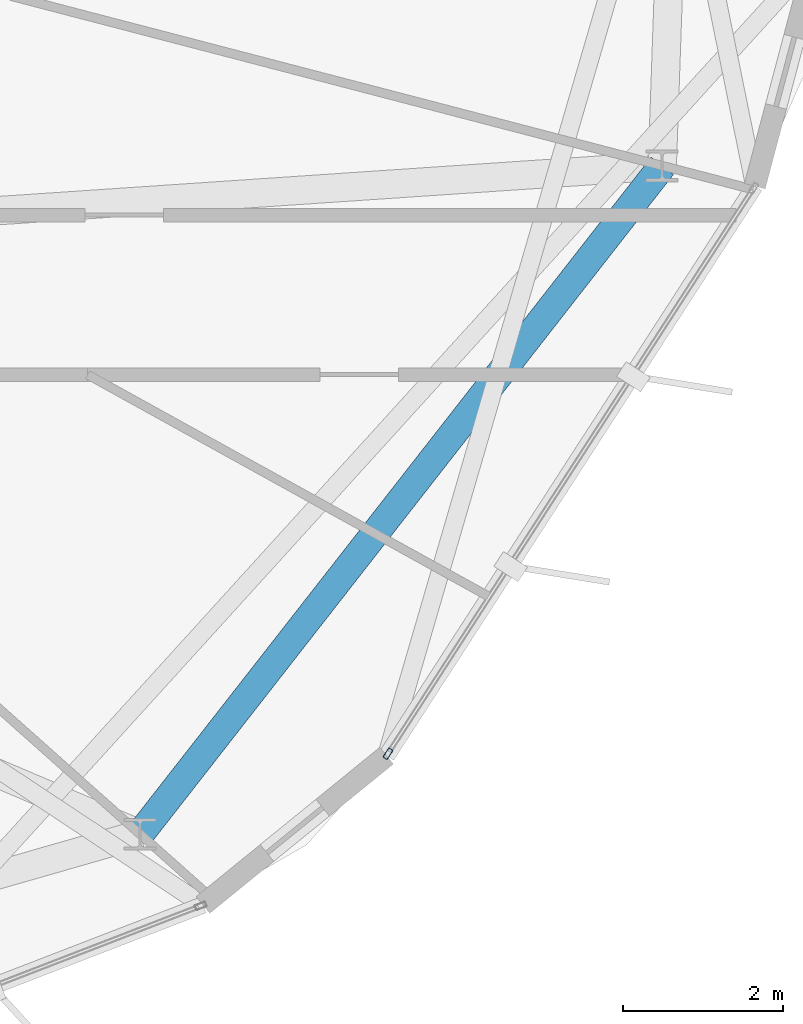
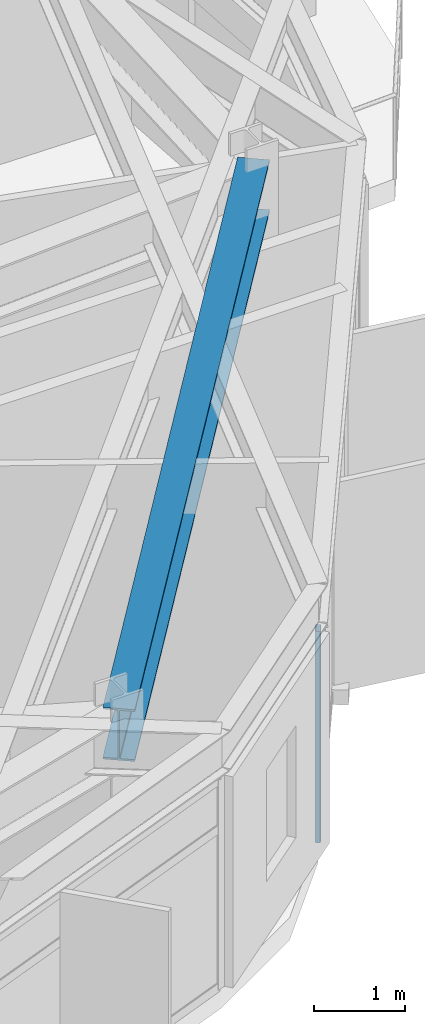
# One storey, part 12 of 26: 1 beam, 1 member, 1 element without a shape of its own.
"""IFC4 building model written with IfcOpenShell, lengths in metres."""

from ifc_helpers import new_model, si_unit, direction, frame, origin, origin_2d, place, context, subcontext, project, spatial, hollow_rectangle, i_section, extrude, material, layer, layer_set, material_profile, profile_set, type_object, element, aggregate, save


model = new_model("IFC4")

# Units and contexts
model_context = context("Model", 3, precision=1e-05, world=origin(), true_north=direction((0.0, 1.0)))
body_context = subcontext(model_context, "Body", "Model", "MODEL_VIEW")
ifc_project = project(units=[si_unit("LENGTHUNIT", "METRE"), si_unit("AREAUNIT", "SQUARE_METRE"), si_unit("VOLUMEUNIT", "CUBIC_METRE"), si_unit("PLANEANGLEUNIT", "RADIAN"), si_unit("MASSUNIT", "GRAM", prefix="KILO")], contexts=[model_context])

# Site, building, storey
site_placement = place(None, origin())
site = spatial("IfcSite", under=ifc_project, at=site_placement, CompositionType="ELEMENT")
building_placement = place(site_placement, origin())
building = spatial("IfcBuilding", under=site, at=building_placement, Name="Soratama Intermodal Tower", CompositionType="ELEMENT")
storey_placement = place(building_placement, frame((0.0, 0.0, 242.5)))
storey = spatial("IfcBuildingStorey", under=building, at=storey_placement, Name="L61", CompositionType="ELEMENT", Elevation=242.5)

# Beam
ifc_material_1 = material(Name="Structural steel ASTM A992 Grade 50", Category="steel")
ifc_material_profile_1 = material_profile(ifc_material_1, i_section(OverallWidth=0.35498046875, OverallDepth=0.695068359375, WebThickness=0.015380859375, FlangeThickness=0.02490234375, FilletRadius=0.01611328125, at=origin_2d()), Name="W27X146")
ifc_profile_set_1 = profile_set([ifc_material_profile_1], Name="Structural steel ASTM A992 Grade 50")
beam_type = type_object("IfcBeamType", Name="BM-RING-W27X146", PredefinedType="BEAM", material=ifc_profile_set_1)
beam_placement = place(storey_placement, frame((54.617919921875, 10.740966796875, 3.1025390625), z_axis=(0.6157278291, 0.787958907858, 0.0), x_axis=(-0.787958907858, 0.6157278291, 0.0)))
element("IfcBeam", 1, at=beam_placement, inside=storey, type_object=beam_type, Name="BM-L61-RING-09", PredefinedType="BEAM", context=body_context, shape_type="SweptSolid", body=[
    extrude(i_section(OverallWidth=0.35498046875, OverallDepth=0.695068359375, WebThickness=0.015380859375, FlangeThickness=0.02490234375, FilletRadius=0.01611328125, at=origin_2d()), origin(), (0.0, 0.0, 1.0), 10.6298828125),
])

# Curtain wall, member
ifc_material_2 = material(Name="Double-glazed aluminium curtain wall", Category="aluminium")
ifc_layer = layer(ifc_material_2, 0.159912109375)
ifc_layer_set = layer_set([ifc_layer], Name="Double-glazed aluminium curtain wall")
curtain_wall_type = type_object("IfcCurtainWallType", Name="CW-SYS-5", PredefinedType="NOTDEFINED", material=ifc_layer_set)
curtain_wall_placement = place(storey_placement, origin())
curtain_wall = element("IfcCurtainWall", 2, at=curtain_wall_placement, inside=storey, type_object=curtain_wall_type, Name="L61 Faceted Curtain Wall F08", PredefinedType="NOTDEFINED")
ifc_material_3 = material(Name="Anodised aluminium AA 6063-T6", Category="aluminium")
ifc_material_profile_2 = material_profile(ifc_material_3, hollow_rectangle(XDim=0.06494140625, YDim=0.139892578125, WallThickness=0.0048828125, InnerFilletRadius=0.0048828125, OuterFilletRadius=0.010009765625, at=origin_2d()), Name="CWM140X65X5")
ifc_profile_set_2 = profile_set([ifc_material_profile_2], Name="Anodised aluminium AA 6063-T6")
member_type = type_object("IfcMemberType", Name="MT-CWM-5", PredefinedType="MULLION", material=ifc_profile_set_2)
member_placement = place(storey_placement, frame((57.724853515625, 11.74951171875, 0.0), z_axis=(0.0, 0.0, 1.0), x_axis=(-0.839811540954, 0.542878048627, 0.0)))
member = element("IfcMember", 3, at=member_placement, type_object=member_type, Name="CW-5 mullion 1", PredefinedType="MULLION", context=body_context, shape_type="SweptSolid", body=[
    extrude(hollow_rectangle(XDim=0.06494140625, YDim=0.139892578125, WallThickness=0.0048828125, InnerFilletRadius=0.0048828125, OuterFilletRadius=0.010009765625, at=origin_2d()), origin(), (0.0, 0.0, 1.0), 2.8291015625),
])
aggregate(curtain_wall, [member])

save(model, "model.ifc")
